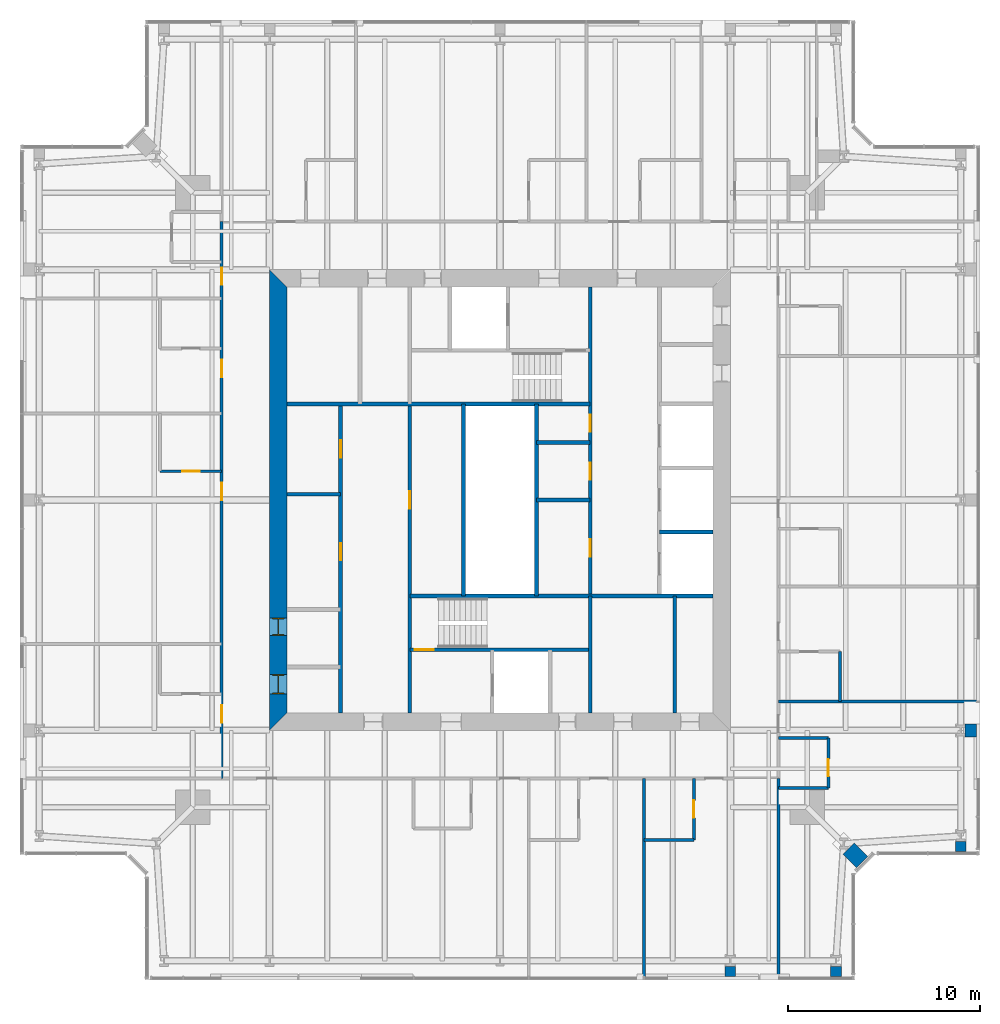
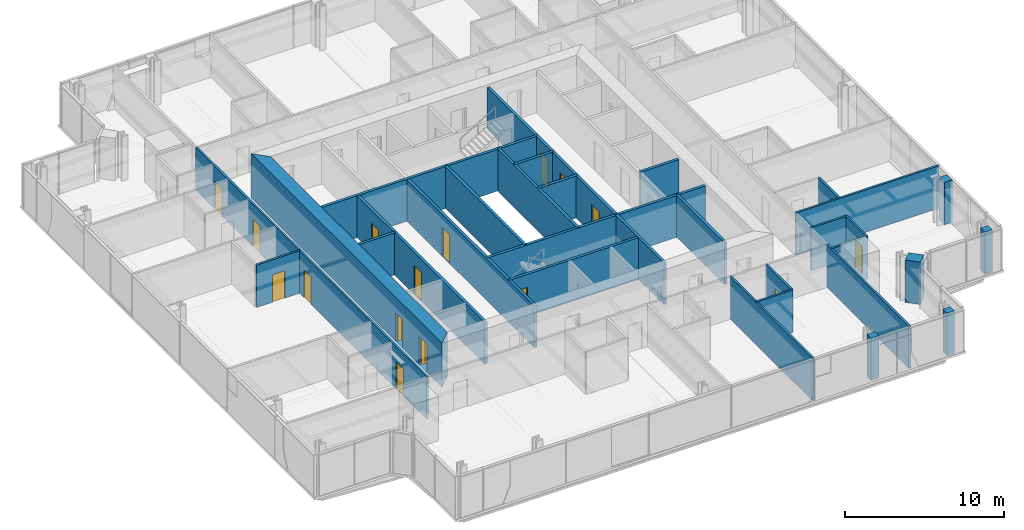
# One storey, part 12 of 18: 31 walls, 16 doors, 16 openings.
"""IFC4 building model written with IfcOpenShell, lengths in metres."""

from ifc_helpers import new_model, si_unit, direction, frame, frame_2d, origin, place, context, subcontext, project, spatial, polyline, rectangle, outline, extrude, material, layer, layer_set, type_object, element, fill, save


model = new_model("IFC4")

# Units and contexts
model_context = context("Model", 3, precision=1e-05, world=origin(), true_north=direction((0.0, 1.0)))
body_context = subcontext(model_context, "Body", "Model", "MODEL_VIEW")
ifc_project = project(units=[si_unit("LENGTHUNIT", "METRE"), si_unit("AREAUNIT", "SQUARE_METRE"), si_unit("VOLUMEUNIT", "CUBIC_METRE"), si_unit("PLANEANGLEUNIT", "RADIAN"), si_unit("MASSUNIT", "GRAM", prefix="KILO")], contexts=[model_context])

# Site, building, storey
site_placement = place(None, origin())
site = spatial("IfcSite", under=ifc_project, at=site_placement, CompositionType="ELEMENT")
building_placement = place(site_placement, origin())
building = spatial("IfcBuilding", under=site, at=building_placement, Name="Fenwick Lantern Interchange", CompositionType="ELEMENT")
storey_placement = place(building_placement, frame((0.0, 0.0, 266.199951171875)))
storey = spatial("IfcBuildingStorey", under=building, at=storey_placement, Name="L63", CompositionType="ELEMENT", Elevation=266.199951171875)

# Walls
ifc_material_1 = material(Name="Fire-rated gypsum board encasement on steel studs, 2 hour", Category="steel")
ifc_layer_1 = layer(ifc_material_1, 0.554931640625)
ifc_layer_set_1 = layer_set([ifc_layer_1], Name="COLUMN PIER 555")
wall_type_1 = type_object("IfcWallType", Name="COLUMN PIER 555", PredefinedType="PARTITIONING", material=ifc_layer_set_1)
for number, where, z_axis, x_axis, name in (
    (1, (37.0, 0.18994140625, 0.0), (0.0, 0.0, 1.0), (0.0, 1.0, 0.0), "L63/W/PIER/CS4"),
    (2, (42.5, 0.18994140625, 0.0), (0.0, 0.0, 1.0), (0.0, 1.0, 0.0), "L63/W/PIER/CS5"),
    (3, (49.0, 6.68994140625, 0.0), (0.0, 0.0, 1.0), (0.0, 1.0, 0.0), "L63/W/PIER/CE1"),
):
    element("IfcWall", number, at=place(storey_placement, frame(where, z_axis=z_axis, x_axis=x_axis)), inside=storey, type_object=wall_type_1, Name=name, PredefinedType="PARTITIONING", context=body_context, shape_type="SweptSolid", body=[
        extrude(rectangle(XDim=0.525634765625, YDim=0.554931640625, at=frame_2d((0.2626953125, 0.0))), origin(), (0.0, 0.0, 1.0), 3.25),
    ])
ifc_layer_2 = layer(ifc_material_1, 0.6689453125)
ifc_layer_set_2 = layer_set([ifc_layer_2], Name="COLUMN PIER 669")
wall_type_2 = type_object("IfcWallType", Name="COLUMN PIER 669", PredefinedType="PARTITIONING", material=ifc_layer_set_2)
wall_1_placement = place(storey_placement, frame((49.81005859375, 13.0, 0.0), z_axis=(0.0, 0.0, 1.0), x_axis=(-1.0, 0.0, 0.0)))
element("IfcWall", 4, at=wall_1_placement, inside=storey, type_object=wall_type_2, Name="L63/W/PIER/CE2", PredefinedType="PARTITIONING", context=body_context, shape_type="SweptSolid", body=[
    extrude(rectangle(XDim=0.582763671875, YDim=0.6689453125, at=frame_2d((0.29150390625, 0.0))), origin(), (0.0, 0.0, 1.0), 3.25),
])
ifc_layer_3 = layer(ifc_material_1, 0.823974609375)
ifc_layer_set_3 = layer_set([ifc_layer_3], Name="COLUMN PIER 824")
wall_type_3 = type_object("IfcWallType", Name="COLUMN PIER 824", PredefinedType="PARTITIONING", material=ifc_layer_set_3)
wall_2_placement = place(storey_placement, frame((43.86572265625, 6.13427734375, 0.0), z_axis=(0.0, 0.0, 1.0), x_axis=(-0.707106781187, 0.707106781187, 0.0)))
element("IfcWall", 5, at=wall_2_placement, inside=storey, type_object=wall_type_3, Name="L63/W/PIER/CSR", PredefinedType="PARTITIONING", context=body_context, shape_type="SweptSolid", body=[
    extrude(rectangle(XDim=1.003662109375, YDim=0.823974609375, at=frame_2d((0.501953125, 0.0))), origin(), (0.0, 0.0, 1.0), 3.25),
])

# Wall, openings, doors
ifc_material_2 = material(Name="Concrete masonry ASTM C90 Grade N", Category="masonry")
ifc_layer_4 = layer(ifc_material_2, 0.199951171875)
ifc_layer_set_4 = layer_set([ifc_layer_4], Name="Concrete masonry ASTM C90 Grade N")
wall_type_4 = type_object("IfcWallType", Name="CORE PARTITION 200", PredefinedType="PARTITIONING", material=ifc_layer_set_4)
wall_3_placement = place(storey_placement, frame((16.699951171875, 13.89990234375, 0.0), z_axis=(0.0, 0.0, 1.0), x_axis=(0.0, 1.0, 0.0)))
wall_3 = element("IfcWall", 6, at=wall_3_placement, inside=storey, type_object=wall_type_4, Name="L63/W/CORES/a", PredefinedType="PARTITIONING", context=body_context, shape_type="SweptSolid", body=[
    extrude(rectangle(XDim=16.10009765625, YDim=0.199951171875, at=frame_2d((8.050048828125, 0.0))), origin(), (0.0, 0.0, 1.0), 3.199951171875),
])
opening_1_placement = place(wall_3_placement, frame((7.949951171875, 0.0, 0.0)))
opening_1 = element("IfcOpeningElement", 7, at=opening_1_placement, cuts=wall_3, Name="Opening L63-D009", PredefinedType="OPENING", context=body_context, shape_type="SweptSolid", body=[
    extrude(rectangle(XDim=0.89990234375, YDim=2.199951171875, at=frame_2d((0.449951171875, 1.10009765625))), frame((0.0, 0.10986328125, 0.0), z_axis=(0.0, -1.0, 0.0), x_axis=(1.0, 0.0, 0.0)), (0.0, 0.0, 1.0), 0.219970703125),
])
opening_2_placement = place(wall_3_placement, frame((13.300048828125, 0.0, 0.0)))
opening_2 = element("IfcOpeningElement", 8, at=opening_2_placement, cuts=wall_3, Name="Opening L63-D010", PredefinedType="OPENING", context=body_context, shape_type="SweptSolid", body=[
    extrude(rectangle(XDim=0.89990234375, YDim=2.199951171875, at=frame_2d((0.449951171875, 1.10009765625))), frame((0.0, 0.10986328125, 0.0), z_axis=(0.0, -1.0, 0.0), x_axis=(1.0, 0.0, 0.0)), (0.0, 0.0, 1.0), 0.219970703125),
])
ifc_material_3 = material(Name="Steel door and frame", Category="steel")
door_type_1 = type_object("IfcDoorType", Name="SERVICE DOOR 900 X 2200", OperationType="SINGLE_SWING_LEFT", PredefinedType="DOOR", material=ifc_material_3)
door_1_placement = place(opening_1_placement, origin())
door_1 = element("IfcDoor", 9, at=door_1_placement, inside=storey, type_object=door_type_1, Name="Service door", OperationType="SINGLE_SWING_LEFT", OverallHeight=2.199951171875, OverallWidth=0.89990234375, PredefinedType="DOOR", context=body_context, shape_type="SweptSolid", body=[
    extrude(rectangle(XDim=0.89990234375, YDim=2.199951171875, at=frame_2d((0.449951171875, 1.10009765625))), frame((0.0, 0.02490234375, 0.0), z_axis=(0.0, -1.0, 0.0), x_axis=(1.0, 0.0, 0.0)), (0.0, 0.0, 1.0), 0.050048828125),
])
fill(opening_1, door_1)
door_2_placement = place(opening_2_placement, origin())
door_2 = element("IfcDoor", 10, at=door_2_placement, inside=storey, type_object=door_type_1, Name="Service door", OperationType="SINGLE_SWING_LEFT", OverallHeight=2.199951171875, OverallWidth=0.89990234375, PredefinedType="DOOR", context=body_context, shape_type="SweptSolid", body=[
    extrude(rectangle(XDim=0.89990234375, YDim=2.199951171875, at=frame_2d((0.449951171875, 1.10009765625))), frame((0.0, 0.02490234375, 0.0), z_axis=(0.0, -1.0, 0.0), x_axis=(1.0, 0.0, 0.0)), (0.0, 0.0, 1.0), 0.050048828125),
])
fill(opening_2, door_2)

# Walls
wall_4_placement = place(storey_placement, frame((23.10009765625, 20.0, 0.0), z_axis=(0.0, 0.0, 1.0), x_axis=(0.0, 1.0, 0.0)))
element("IfcWall", 11, at=wall_4_placement, inside=storey, type_object=wall_type_4, Name="L63/W/CORES/e3", PredefinedType="PARTITIONING", context=body_context, shape_type="SweptSolid", body=[
    extrude(rectangle(XDim=10.0, YDim=0.199951171875, at=frame_2d((5.0, 0.0))), origin(), (0.0, 0.0, 1.0), 3.199951171875),
])
wall_5_placement = place(storey_placement, frame((34.10009765625, 13.89990234375, 0.0), z_axis=(0.0, 0.0, 1.0), x_axis=(0.0, 1.0, 0.0)))
element("IfcWall", 12, at=wall_5_placement, inside=storey, type_object=wall_type_4, Name="L63/W/CORES/i2", PredefinedType="PARTITIONING", context=body_context, shape_type="SweptSolid", body=[
    extrude(rectangle(XDim=6.10009765625, YDim=0.199951171875, at=frame_2d((3.050048828125, 0.0))), origin(), (0.0, 0.0, 1.0), 3.199951171875),
])
for number, where, z_axis, x_axis, name in (
    (13, (13.89990234375, 25.300048828125, 0.0), (0.0, 0.0, 1.0), (1.0, 0.0, 0.0), "L63/W/CORES/p3"),
    (14, (36.10009765625, 23.333251953125, 0.0), (0.0, 0.0, 1.0), (-1.0, 0.0, 0.0), "L63/W/COREN/d2"),
):
    element("IfcWall", number, at=place(storey_placement, frame(where, z_axis=z_axis, x_axis=x_axis)), inside=storey, type_object=wall_type_4, Name=name, PredefinedType="PARTITIONING", context=body_context, shape_type="SweptSolid", body=[
        extrude(rectangle(XDim=2.800048828125, YDim=0.199951171875, at=frame_2d((1.39990234375, 0.0))), origin(), (0.0, 0.0, 1.0), 3.199951171875),
    ])
wall_6_placement = place(storey_placement, frame((26.89990234375, 30.0, 0.0), z_axis=(0.0, 0.0, 1.0), x_axis=(0.0, -1.0, 0.0)))
element("IfcWall", 15, at=wall_6_placement, inside=storey, type_object=wall_type_4, Name="L63/W/COREN/e3", PredefinedType="PARTITIONING", context=body_context, shape_type="SweptSolid", body=[
    extrude(rectangle(XDim=10.0, YDim=0.199951171875, at=frame_2d((5.0, 0.0))), origin(), (0.0, 0.0, 1.0), 3.199951171875),
])
for number, where, z_axis, x_axis, name in (
    (16, (29.699951171875, 28.0, 0.0), (0.0, 0.0, 1.0), (-1.0, 0.0, 0.0), "L63/W/COREN/q1"),
    (17, (29.699951171875, 25.0, 0.0), (0.0, 0.0, 1.0), (-1.0, 0.0, 0.0), "L63/W/COREN/q2"),
):
    element("IfcWall", number, at=place(storey_placement, frame(where, z_axis=z_axis, x_axis=x_axis)), inside=storey, type_object=wall_type_4, Name=name, PredefinedType="PARTITIONING", context=body_context, shape_type="SweptSolid", body=[
        extrude(rectangle(XDim=2.800048828125, YDim=0.199951171875, at=frame_2d((1.39990234375, 0.0))), origin(), (0.0, 0.0, 1.0), 3.199951171875),
    ])

# Wall, openings, doors
ifc_material_4 = material(Name="Concrete f'c 70 MPa", Category="concrete")
ifc_layer_5 = layer(ifc_material_4, 0.89990234375)
ifc_layer_set_5 = layer_set([ifc_layer_5], Name="CORE WALL 900")
wall_type_5 = type_object("IfcWallType", Name="CORE WALL 900", PredefinedType="SHEAR", material=ifc_layer_set_5)
wall_7_placement = place(storey_placement, frame((13.449951171875, 36.10009765625, 0.0), z_axis=(0.0, 0.0, 1.0), x_axis=(0.0, -1.0, 0.0)))
wall_7 = element("IfcWall", 18, at=wall_7_placement, inside=storey, type_object=wall_type_5, Name="L63/CORE/W", PredefinedType="SHEAR", context=body_context, shape_type="SweptSolid", body=[
    extrude(outline(polyline([(-0.89990234375, -0.449951171875), (23.10009765625, -0.449951171875), (22.199951171875, 0.449951171875), (0.0, 0.449951171875), (-0.89990234375, -0.449951171875)])), origin(), (0.0, 0.0, 1.0), 3.400146484375),
])
opening_3_placement = place(wall_7_placement, frame((20.199951171875, 0.0, 0.0)))
opening_3 = element("IfcOpeningElement", 19, at=opening_3_placement, cuts=wall_7, Name="Opening L63-D007", PredefinedType="OPENING", context=body_context, shape_type="SweptSolid", body=[
    extrude(rectangle(XDim=1.0, YDim=2.199951171875, at=frame_2d((0.5, 1.10009765625))), frame((0.0, 0.4599609375, 0.0), z_axis=(0.0, -1.0, 0.0), x_axis=(1.0, 0.0, 0.0)), (0.0, 0.0, 1.0), 0.919921875),
])
opening_4_placement = place(wall_7_placement, frame((17.25, 0.0, 0.0)))
opening_4 = element("IfcOpeningElement", 20, at=opening_4_placement, cuts=wall_7, Name="Opening L63-D008", PredefinedType="OPENING", context=body_context, shape_type="SweptSolid", body=[
    extrude(rectangle(XDim=0.89990234375, YDim=2.199951171875, at=frame_2d((0.449951171875, 1.10009765625))), frame((0.0, 0.4599609375, 0.0), z_axis=(0.0, -1.0, 0.0), x_axis=(1.0, 0.0, 0.0)), (0.0, 0.0, 1.0), 0.919921875),
])
door_3_placement = place(opening_4_placement, origin())
door_3 = element("IfcDoor", 21, at=door_3_placement, inside=storey, type_object=door_type_1, Name="Service door", OperationType="SINGLE_SWING_LEFT", OverallHeight=2.199951171875, OverallWidth=0.89990234375, PredefinedType="DOOR", context=body_context, shape_type="SweptSolid", body=[
    extrude(rectangle(XDim=0.89990234375, YDim=2.199951171875, at=frame_2d((0.449951171875, 1.10009765625))), frame((0.0, 0.02490234375, 0.0), z_axis=(0.0, -1.0, 0.0), x_axis=(1.0, 0.0, 0.0)), (0.0, 0.0, 1.0), 0.050048828125),
    extrude(outline(polyline([(0.0, 0.0), (0.0400390625, 0.0), (0.0400390625, 2.159912109375), (0.85986328125, 2.159912109375), (0.85986328125, 0.0), (0.89990234375, 0.0), (0.89990234375, 2.199951171875), (0.0, 2.199951171875), (0.0, 0.0)])), frame((0.0, 0.300048828125, 0.0), z_axis=(0.0, -1.0, 0.0), x_axis=(1.0, 0.0, 0.0)), (0.0, 0.0, 1.0), 0.60009765625),
])
fill(opening_4, door_3)
ifc_material_5 = material(Name="Hardwood door and steel frame", Category="steel")
door_type_2 = type_object("IfcDoorType", Name="WC DOOR 1000 X 2200", OperationType="SINGLE_SWING_LEFT", PredefinedType="DOOR", material=ifc_material_5)
door_4_placement = place(opening_3_placement, origin())
door_4 = element("IfcDoor", 22, at=door_4_placement, inside=storey, type_object=door_type_2, Name="Wc door", OperationType="SINGLE_SWING_LEFT", OverallHeight=2.199951171875, OverallWidth=1.0, PredefinedType="DOOR", context=body_context, shape_type="SweptSolid", body=[
    extrude(rectangle(XDim=1.0, YDim=2.199951171875, at=frame_2d((0.5, 1.10009765625))), frame((0.0, 0.02490234375, 0.0), z_axis=(0.0, -1.0, 0.0), x_axis=(1.0, 0.0, 0.0)), (0.0, 0.0, 1.0), 0.050048828125),
    extrude(outline(polyline([(0.0, 0.0), (0.0400390625, 0.0), (0.0400390625, 2.159912109375), (0.9599609375, 2.159912109375), (0.9599609375, 0.0), (1.0, 0.0), (1.0, 2.199951171875), (0.0, 2.199951171875), (0.0, 0.0)])), frame((0.0, 0.300048828125, 0.0), z_axis=(0.0, -1.0, 0.0), x_axis=(1.0, 0.0, 0.0)), (0.0, 0.0, 1.0), 0.60009765625),
])
fill(opening_3, door_4)

ifc_material_6 = material(Name="Gypsum board on steel studs, 1 hour", Category="steel")
ifc_layer_6 = layer(ifc_material_6, 0.14990234375)
ifc_layer_set_6 = layer_set([ifc_layer_6], Name="CORRIDOR WALL 150")
wall_type_6 = type_object("IfcWallType", Name="CORRIDOR WALL 150", PredefinedType="PARTITIONING", material=ifc_layer_set_6)
wall_8_placement = place(storey_placement, frame((10.5, 39.5, 0.0), z_axis=(0.0, 0.0, 1.0), x_axis=(0.0, -1.0, 0.0)))
wall_8 = element("IfcWall", 23, at=wall_8_placement, inside=storey, type_object=wall_type_6, Name="L63/W/HOTEL/W/CW", PredefinedType="PARTITIONING", context=body_context, shape_type="SweptSolid", body=[
    extrude(rectangle(XDim=29.0, YDim=0.14990234375, at=frame_2d((14.5, 0.0))), origin(), (0.0, 0.0, 1.0), 3.25),
])
opening_5_placement = place(wall_8_placement, frame((2.39990234375, 0.0, 0.0)))
opening_5 = element("IfcOpeningElement", 24, at=opening_5_placement, cuts=wall_8, Name="Opening L63-D047", PredefinedType="OPENING", context=body_context, shape_type="SweptSolid", body=[
    extrude(rectangle(XDim=0.89990234375, YDim=2.10009765625, at=frame_2d((0.449951171875, 1.050048828125))), frame((0.0, 0.0849609375, 0.0), z_axis=(0.0, -1.0, 0.0), x_axis=(1.0, 0.0, 0.0)), (0.0, 0.0, 1.0), 0.169921875),
])
opening_6_placement = place(wall_8_placement, frame((7.199951171875, 0.0, 0.0)))
opening_6 = element("IfcOpeningElement", 25, at=opening_6_placement, cuts=wall_8, Name="Opening L63-D050", PredefinedType="OPENING", context=body_context, shape_type="SweptSolid", body=[
    extrude(rectangle(XDim=0.89990234375, YDim=2.10009765625, at=frame_2d((0.449951171875, 1.050048828125))), frame((0.0, 0.0849609375, 0.0), z_axis=(0.0, -1.0, 0.0), x_axis=(1.0, 0.0, 0.0)), (0.0, 0.0, 1.0), 0.169921875),
])
opening_7_placement = place(wall_8_placement, frame((13.60009765625, 0.0, 0.0)))
opening_7 = element("IfcOpeningElement", 26, at=opening_7_placement, cuts=wall_8, Name="Opening L63-D052", PredefinedType="OPENING", context=body_context, shape_type="SweptSolid", body=[
    extrude(rectangle(XDim=0.89990234375, YDim=2.10009765625, at=frame_2d((0.449951171875, 1.050048828125))), frame((0.0, 0.0849609375, 0.0), z_axis=(0.0, -1.0, 0.0), x_axis=(1.0, 0.0, 0.0)), (0.0, 0.0, 1.0), 0.169921875),
])
opening_8_placement = place(wall_8_placement, frame((25.199951171875, 0.0, 0.0)))
opening_8 = element("IfcOpeningElement", 27, at=opening_8_placement, cuts=wall_8, Name="Opening L63-D054", PredefinedType="OPENING", context=body_context, shape_type="SweptSolid", body=[
    extrude(rectangle(XDim=0.89990234375, YDim=2.10009765625, at=frame_2d((0.449951171875, 1.050048828125))), frame((0.0, 0.0849609375, 0.0), z_axis=(0.0, -1.0, 0.0), x_axis=(1.0, 0.0, 0.0)), (0.0, 0.0, 1.0), 0.169921875),
])
door_type_3 = type_object("IfcDoorType", Name="GUEST ROOM DOOR 900 X 2100", OperationType="SINGLE_SWING_LEFT", PredefinedType="DOOR", material=ifc_material_3)
door_5_placement = place(opening_5_placement, frame((0.89990234375, 0.0, 0.0), z_axis=(0.0, 0.0, 1.0), x_axis=(-1.0, 0.0, 0.0)))
door_5 = element("IfcDoor", 28, at=door_5_placement, inside=storey, type_object=door_type_3, Name="Guest room door", OperationType="SINGLE_SWING_RIGHT", OverallHeight=2.10009765625, OverallWidth=0.89990234375, PredefinedType="DOOR", context=body_context, shape_type="SweptSolid", body=[
    extrude(rectangle(XDim=0.89990234375, YDim=2.10009765625, at=frame_2d((0.449951171875, 1.050048828125))), frame((0.0, 0.02490234375, 0.0), z_axis=(0.0, -1.0, 0.0), x_axis=(1.0, 0.0, 0.0)), (0.0, 0.0, 1.0), 0.050048828125),
])
fill(opening_5, door_5)
door_6_placement = place(opening_6_placement, frame((0.89990234375, 0.0, 0.0), z_axis=(0.0, 0.0, 1.0), x_axis=(-1.0, 0.0, 0.0)))
door_6 = element("IfcDoor", 29, at=door_6_placement, inside=storey, type_object=door_type_3, Name="Guest room door", OperationType="SINGLE_SWING_RIGHT", OverallHeight=2.10009765625, OverallWidth=0.89990234375, PredefinedType="DOOR", context=body_context, shape_type="SweptSolid", body=[
    extrude(rectangle(XDim=0.89990234375, YDim=2.10009765625, at=frame_2d((0.449951171875, 1.050048828125))), frame((0.0, 0.02490234375, 0.0), z_axis=(0.0, -1.0, 0.0), x_axis=(1.0, 0.0, 0.0)), (0.0, 0.0, 1.0), 0.050048828125),
])
fill(opening_6, door_6)
door_7_placement = place(opening_7_placement, frame((0.89990234375, 0.0, 0.0), z_axis=(0.0, 0.0, 1.0), x_axis=(-1.0, 0.0, 0.0)))
door_7 = element("IfcDoor", 30, at=door_7_placement, inside=storey, type_object=door_type_3, Name="Guest room door", OperationType="SINGLE_SWING_RIGHT", OverallHeight=2.10009765625, OverallWidth=0.89990234375, PredefinedType="DOOR", context=body_context, shape_type="SweptSolid", body=[
    extrude(rectangle(XDim=0.89990234375, YDim=2.10009765625, at=frame_2d((0.449951171875, 1.050048828125))), frame((0.0, 0.02490234375, 0.0), z_axis=(0.0, -1.0, 0.0), x_axis=(1.0, 0.0, 0.0)), (0.0, 0.0, 1.0), 0.050048828125),
])
fill(opening_7, door_7)
door_8_placement = place(opening_8_placement, frame((0.89990234375, 0.0, 0.0), z_axis=(0.0, 0.0, 1.0), x_axis=(-1.0, 0.0, 0.0)))
door_8 = element("IfcDoor", 31, at=door_8_placement, inside=storey, type_object=door_type_3, Name="Guest room door", OperationType="SINGLE_SWING_RIGHT", OverallHeight=2.10009765625, OverallWidth=0.89990234375, PredefinedType="DOOR", context=body_context, shape_type="SweptSolid", body=[
    extrude(rectangle(XDim=0.89990234375, YDim=2.10009765625, at=frame_2d((0.449951171875, 1.050048828125))), frame((0.0, 0.02490234375, 0.0), z_axis=(0.0, -1.0, 0.0), x_axis=(1.0, 0.0, 0.0)), (0.0, 0.0, 1.0), 0.050048828125),
])
fill(opening_8, door_8)

# Wall
ifc_material_7 = material(Name="Gypsum board on steel studs, moisture resistant", Category="steel")
ifc_layer_7 = layer(ifc_material_7, 0.14990234375)
ifc_layer_set_7 = layer_set([ifc_layer_7], Name="EN-SUITE WALL 150")
wall_type_7 = type_object("IfcWallType", Name="EN-SUITE WALL 150", PredefinedType="PARTITIONING", material=ifc_layer_set_7)
wall_9_placement = place(storey_placement, frame((32.5, 7.300048828125, 0.0), z_axis=(0.0, 0.0, 1.0), x_axis=(1.0, 0.0, 0.0)))
element("IfcWall", 32, at=wall_9_placement, inside=storey, type_object=wall_type_7, Name="L63/W/HOTEL/S/U3BW", PredefinedType="PARTITIONING", context=body_context, shape_type="SweptSolid", body=[
    extrude(rectangle(XDim=2.60009765625, YDim=0.14990234375, at=frame_2d((1.300048828125, 0.0))), origin(), (0.0, 0.0, 1.0), 3.25),
])

# Wall, opening, door
wall_10_placement = place(storey_placement, frame((35.10009765625, 7.300048828125, 0.0), z_axis=(0.0, 0.0, 1.0), x_axis=(0.0, 1.0, 0.0)))
wall_10 = element("IfcWall", 33, at=wall_10_placement, inside=storey, type_object=wall_type_7, Name="L63/W/HOTEL/S/U3BX", PredefinedType="PARTITIONING", context=body_context, shape_type="SweptSolid", body=[
    extrude(rectangle(XDim=3.199951171875, YDim=0.14990234375, at=frame_2d((1.60009765625, 0.0))), origin(), (0.0, 0.0, 1.0), 3.25),
])
opening_9_placement = place(wall_10_placement, frame((1.14990234375, 0.0, 0.0)))
opening_9 = element("IfcOpeningElement", 34, at=opening_9_placement, cuts=wall_10, Name="Opening L63-D028", PredefinedType="OPENING", context=body_context, shape_type="SweptSolid", body=[
    extrude(rectangle(XDim=0.89990234375, YDim=2.10009765625, at=frame_2d((0.449951171875, 1.050048828125))), frame((0.0, 0.0849609375, 0.0), z_axis=(0.0, -1.0, 0.0), x_axis=(1.0, 0.0, 0.0)), (0.0, 0.0, 1.0), 0.169921875),
])
door_type_4 = type_object("IfcDoorType", Name="EN-SUITE DOOR 900 X 2100", OperationType="SINGLE_SWING_LEFT", PredefinedType="DOOR", material=ifc_material_5)
door_9_placement = place(opening_9_placement, origin())
door_9 = element("IfcDoor", 35, at=door_9_placement, inside=storey, type_object=door_type_4, Name="En-suite door", OperationType="SINGLE_SWING_LEFT", OverallHeight=2.10009765625, OverallWidth=0.89990234375, PredefinedType="DOOR", context=body_context, shape_type="SweptSolid", body=[
    extrude(rectangle(XDim=0.89990234375, YDim=2.10009765625, at=frame_2d((0.449951171875, 1.050048828125))), frame((0.0, 0.02490234375, 0.0), z_axis=(0.0, -1.0, 0.0), x_axis=(1.0, 0.0, 0.0)), (0.0, 0.0, 1.0), 0.050048828125),
])
fill(opening_9, door_9)

wall_11_placement = place(storey_placement, frame((42.10009765625, 10.0, 0.0), z_axis=(0.0, 0.0, 1.0), x_axis=(0.0, 1.0, 0.0)))
wall_11 = element("IfcWall", 36, at=wall_11_placement, inside=storey, type_object=wall_type_7, Name="L63/W/HOTEL/E/U1BW", PredefinedType="PARTITIONING", context=body_context, shape_type="SweptSolid", body=[
    extrude(rectangle(XDim=2.60009765625, YDim=0.14990234375, at=frame_2d((1.300048828125, 0.0))), origin(), (0.0, 0.0, 1.0), 3.25),
])
opening_10_placement = place(wall_11_placement, frame((0.60009765625, 0.0, 0.0)))
opening_10 = element("IfcOpeningElement", 37, at=opening_10_placement, cuts=wall_11, Name="Opening L63-D031", PredefinedType="OPENING", context=body_context, shape_type="SweptSolid", body=[
    extrude(rectangle(XDim=0.89990234375, YDim=2.10009765625, at=frame_2d((0.449951171875, 1.050048828125))), frame((0.0, 0.0849609375, 0.0), z_axis=(0.0, -1.0, 0.0), x_axis=(1.0, 0.0, 0.0)), (0.0, 0.0, 1.0), 0.169921875),
])
door_10_placement = place(opening_10_placement, origin())
door_10 = element("IfcDoor", 38, at=door_10_placement, inside=storey, type_object=door_type_4, Name="En-suite door", OperationType="SINGLE_SWING_LEFT", OverallHeight=2.10009765625, OverallWidth=0.89990234375, PredefinedType="DOOR", context=body_context, shape_type="SweptSolid", body=[
    extrude(rectangle(XDim=0.89990234375, YDim=2.10009765625, at=frame_2d((0.449951171875, 1.050048828125))), frame((0.0, 0.02490234375, 0.0), z_axis=(0.0, -1.0, 0.0), x_axis=(1.0, 0.0, 0.0)), (0.0, 0.0, 1.0), 0.050048828125),
])
fill(opening_10, door_10)

# Walls
for number, where, z_axis, x_axis, name in (
    (39, (42.10009765625, 10.0, 0.0), (0.0, 0.0, 1.0), (-1.0, 0.0, 0.0), "L63/W/HOTEL/E/U1BX"),
    (40, (42.10009765625, 12.60009765625, 0.0), (0.0, 0.0, 1.0), (-1.0, 0.0, 0.0), "L63/W/HOTEL/E/U1BE"),
    (41, (42.699951171875, 14.5, 0.0), (0.0, 0.0, 1.0), (0.0, 1.0, 0.0), "L63/W/HOTEL/E/U2BW"),
):
    element("IfcWall", number, at=place(storey_placement, frame(where, z_axis=z_axis, x_axis=x_axis)), inside=storey, type_object=wall_type_7, Name=name, PredefinedType="PARTITIONING", context=body_context, shape_type="SweptSolid", body=[
        extrude(rectangle(XDim=2.60009765625, YDim=0.14990234375, at=frame_2d((1.300048828125, 0.0))), origin(), (0.0, 0.0, 1.0), 3.25),
    ])

# Wall, opening, door
wall_12_placement = place(storey_placement, frame((7.300048828125, 26.5, 0.0), z_axis=(0.0, 0.0, 1.0), x_axis=(1.0, 0.0, 0.0)))
wall_12 = element("IfcWall", 42, at=wall_12_placement, inside=storey, type_object=wall_type_7, Name="L63/W/HOTEL/W/U3BX", PredefinedType="PARTITIONING", context=body_context, shape_type="SweptSolid", body=[
    extrude(rectangle(XDim=3.199951171875, YDim=0.14990234375, at=frame_2d((1.60009765625, 0.0))), origin(), (0.0, 0.0, 1.0), 3.25),
])
opening_11_placement = place(wall_12_placement, frame((1.14990234375, 0.0, 0.0)))
opening_11 = element("IfcOpeningElement", 43, at=opening_11_placement, cuts=wall_12, Name="Opening L63-D051", PredefinedType="OPENING", context=body_context, shape_type="SweptSolid", body=[
    extrude(rectangle(XDim=0.89990234375, YDim=2.10009765625, at=frame_2d((0.449951171875, 1.050048828125))), frame((0.0, 0.0849609375, 0.0), z_axis=(0.0, -1.0, 0.0), x_axis=(1.0, 0.0, 0.0)), (0.0, 0.0, 1.0), 0.169921875),
])
door_11_placement = place(opening_11_placement, origin())
door_11 = element("IfcDoor", 44, at=door_11_placement, inside=storey, type_object=door_type_4, Name="En-suite door", OperationType="SINGLE_SWING_LEFT", OverallHeight=2.10009765625, OverallWidth=0.89990234375, PredefinedType="DOOR", context=body_context, shape_type="SweptSolid", body=[
    extrude(rectangle(XDim=0.89990234375, YDim=2.10009765625, at=frame_2d((0.449951171875, 1.050048828125))), frame((0.0, 0.02490234375, 0.0), z_axis=(0.0, -1.0, 0.0), x_axis=(1.0, 0.0, 0.0)), (0.0, 0.0, 1.0), 0.050048828125),
])
fill(opening_11, door_11)

# Walls
ifc_material_8 = material(Name="Gypsum board on steel studs, 1 hour acoustic", Category="steel")
ifc_layer_8 = layer(ifc_material_8, 0.14990234375)
ifc_layer_set_8 = layer_set([ifc_layer_8], Name="PARTY WALL 150")
wall_type_8 = type_object("IfcWallType", Name="PARTY WALL 150", PredefinedType="PARTITIONING", material=ifc_layer_set_8)
for number, where, z_axis, x_axis, name in (
    (45, (32.5, 0.14990234375, 0.0), (0.0, 0.0, 1.0), (0.0, 1.0, 0.0), "L63/W/HOTEL/S/U3PW"),
    (46, (39.5, 0.14990234375, 0.0), (0.0, 0.0, 1.0), (0.0, 1.0, 0.0), "L63/W/HOTEL/E/SW3"),
    (47, (49.85009765625, 14.5, 0.0), (0.0, 0.0, 1.0), (-1.0, 0.0, 0.0), "L63/W/HOTEL/E/U2PW"),
):
    element("IfcWall", number, at=place(storey_placement, frame(where, z_axis=z_axis, x_axis=x_axis)), inside=storey, type_object=wall_type_8, Name=name, PredefinedType="PARTITIONING", context=body_context, shape_type="SweptSolid", body=[
        extrude(rectangle(XDim=10.35009765625, YDim=0.14990234375, at=frame_2d((5.175048828125, 0.0))), origin(), (0.0, 0.0, 1.0), 3.25),
    ])

# Wall, opening, door
ifc_material_9 = material(Name="Concrete f'c 45 MPa", Category="concrete")
ifc_layer_9 = layer(ifc_material_9, 0.199951171875)
ifc_layer_set_9 = layer_set([ifc_layer_9], Name="STAIR CORE WALL 200")
wall_type_9 = type_object("IfcWallType", Name="STAIR CORE WALL 200", PredefinedType="SOLIDWALL", material=ifc_layer_set_9)
wall_13_placement = place(storey_placement, frame((20.300048828125, 13.89990234375, 0.0), z_axis=(0.0, 0.0, 1.0), x_axis=(0.0, 1.0, 0.0)))
wall_13 = element("IfcWall", 48, at=wall_13_placement, inside=storey, type_object=wall_type_9, Name="L63/W/CORES/b", PredefinedType="SOLIDWALL", context=body_context, shape_type="SweptSolid", body=[
    extrude(rectangle(XDim=16.10009765625, YDim=0.199951171875, at=frame_2d((8.050048828125, 0.0))), origin(), (0.0, 0.0, 1.0), 3.199951171875),
])
opening_12_placement = place(wall_13_placement, frame((10.64990234375, 0.0, 0.0)))
opening_12 = element("IfcOpeningElement", 49, at=opening_12_placement, cuts=wall_13, Name="Opening L63-D011", PredefinedType="OPENING", context=body_context, shape_type="SweptSolid", body=[
    extrude(rectangle(XDim=0.89990234375, YDim=2.199951171875, at=frame_2d((0.449951171875, 1.10009765625))), frame((0.0, 0.10986328125, 0.0), z_axis=(0.0, -1.0, 0.0), x_axis=(1.0, 0.0, 0.0)), (0.0, 0.0, 1.0), 0.219970703125),
])
door_12_placement = place(opening_12_placement, frame((0.89990234375, 0.0, 0.0), z_axis=(0.0, 0.0, 1.0), x_axis=(-1.0, 0.0, 0.0)))
door_12 = element("IfcDoor", 50, at=door_12_placement, inside=storey, type_object=door_type_1, Name="Service door", OperationType="SINGLE_SWING_RIGHT", OverallHeight=2.199951171875, OverallWidth=0.89990234375, PredefinedType="DOOR", context=body_context, shape_type="SweptSolid", body=[
    extrude(rectangle(XDim=0.89990234375, YDim=2.199951171875, at=frame_2d((0.449951171875, 1.10009765625))), frame((0.0, 0.02490234375, 0.0), z_axis=(0.0, -1.0, 0.0), x_axis=(1.0, 0.0, 0.0)), (0.0, 0.0, 1.0), 0.050048828125),
])
fill(opening_12, door_12)

wall_14_placement = place(storey_placement, frame((20.300048828125, 17.199951171875, 0.0), z_axis=(0.0, 0.0, 1.0), x_axis=(1.0, 0.0, 0.0)))
wall_14 = element("IfcWall", 51, at=wall_14_placement, inside=storey, type_object=wall_type_9, Name="L63/W/CORES/g1", PredefinedType="SOLIDWALL", context=body_context, shape_type="SweptSolid", body=[
    extrude(rectangle(XDim=9.39990234375, YDim=0.199951171875, at=frame_2d((4.699951171875, 0.0))), origin(), (0.0, 0.0, 1.0), 3.199951171875),
])
opening_13_placement = place(wall_14_placement, frame((0.25, 0.0, 0.0)))
opening_13 = element("IfcOpeningElement", 52, at=opening_13_placement, cuts=wall_14, Name="Opening L63-D003", PredefinedType="OPENING", context=body_context, shape_type="SweptSolid", body=[
    extrude(rectangle(XDim=1.0, YDim=2.199951171875, at=frame_2d((0.5, 1.10009765625))), frame((0.0, 0.10986328125, 0.0), z_axis=(0.0, -1.0, 0.0), x_axis=(1.0, 0.0, 0.0)), (0.0, 0.0, 1.0), 0.219970703125),
])
door_type_5 = type_object("IfcDoorType", Name="STAIR DOOR 1000 X 2200", OperationType="SINGLE_SWING_LEFT", PredefinedType="DOOR", material=ifc_material_3)
door_13_placement = place(opening_13_placement, origin())
door_13 = element("IfcDoor", 53, at=door_13_placement, inside=storey, type_object=door_type_5, Name="Stair door", OperationType="SINGLE_SWING_LEFT", OverallHeight=2.199951171875, OverallWidth=1.0, PredefinedType="DOOR", context=body_context, shape_type="SweptSolid", body=[
    extrude(rectangle(XDim=1.0, YDim=2.199951171875, at=frame_2d((0.5, 1.10009765625))), frame((0.0, 0.02490234375, 0.0), z_axis=(0.0, -1.0, 0.0), x_axis=(1.0, 0.0, 0.0)), (0.0, 0.0, 1.0), 0.050048828125),
])
fill(opening_13, door_13)

# Walls
wall_15_placement = place(storey_placement, frame((20.300048828125, 20.0, 0.0), z_axis=(0.0, 0.0, 1.0), x_axis=(1.0, 0.0, 0.0)))
element("IfcWall", 54, at=wall_15_placement, inside=storey, type_object=wall_type_9, Name="L63/W/CORES/g2", PredefinedType="SOLIDWALL", context=body_context, shape_type="SweptSolid", body=[
    extrude(rectangle(XDim=15.800048828125, YDim=0.199951171875, at=frame_2d((7.89990234375, 0.0))), origin(), (0.0, 0.0, 1.0), 3.199951171875),
])
wall_16_placement = place(storey_placement, frame((29.699951171875, 13.89990234375, 0.0), z_axis=(0.0, 0.0, 1.0), x_axis=(0.0, 1.0, 0.0)))
element("IfcWall", 55, at=wall_16_placement, inside=storey, type_object=wall_type_9, Name="L63/W/CORES/i1", PredefinedType="SOLIDWALL", context=body_context, shape_type="SweptSolid", body=[
    extrude(rectangle(XDim=6.10009765625, YDim=0.199951171875, at=frame_2d((3.050048828125, 0.0))), origin(), (0.0, 0.0, 1.0), 3.199951171875),
])

# Wall, openings, doors
wall_17_placement = place(storey_placement, frame((29.699951171875, 36.10009765625, 0.0), z_axis=(0.0, 0.0, 1.0), x_axis=(0.0, -1.0, 0.0)))
wall_17 = element("IfcWall", 56, at=wall_17_placement, inside=storey, type_object=wall_type_9, Name="L63/W/COREN/b", PredefinedType="SOLIDWALL", context=body_context, shape_type="SweptSolid", body=[
    extrude(rectangle(XDim=16.10009765625, YDim=0.199951171875, at=frame_2d((8.050048828125, 0.0))), origin(), (0.0, 0.0, 1.0), 3.199951171875),
])
opening_14_placement = place(wall_17_placement, frame((6.64990234375, 0.0, 0.0)))
opening_14 = element("IfcOpeningElement", 57, at=opening_14_placement, cuts=wall_17, Name="Opening L63-D020", PredefinedType="OPENING", context=body_context, shape_type="SweptSolid", body=[
    extrude(rectangle(XDim=0.89990234375, YDim=2.199951171875, at=frame_2d((0.449951171875, 1.10009765625))), frame((0.0, 0.10986328125, 0.0), z_axis=(0.0, -1.0, 0.0), x_axis=(1.0, 0.0, 0.0)), (0.0, 0.0, 1.0), 0.219970703125),
])
opening_15_placement = place(wall_17_placement, frame((9.14990234375, 0.0, 0.0)))
opening_15 = element("IfcOpeningElement", 58, at=opening_15_placement, cuts=wall_17, Name="Opening L63-D021", PredefinedType="OPENING", context=body_context, shape_type="SweptSolid", body=[
    extrude(rectangle(XDim=0.89990234375, YDim=2.199951171875, at=frame_2d((0.449951171875, 1.10009765625))), frame((0.0, 0.10986328125, 0.0), z_axis=(0.0, -1.0, 0.0), x_axis=(1.0, 0.0, 0.0)), (0.0, 0.0, 1.0), 0.219970703125),
])
opening_16_placement = place(wall_17_placement, frame((13.14990234375, 0.0, 0.0)))
opening_16 = element("IfcOpeningElement", 59, at=opening_16_placement, cuts=wall_17, Name="Opening L63-D022", PredefinedType="OPENING", context=body_context, shape_type="SweptSolid", body=[
    extrude(rectangle(XDim=0.89990234375, YDim=2.199951171875, at=frame_2d((0.449951171875, 1.10009765625))), frame((0.0, 0.10986328125, 0.0), z_axis=(0.0, -1.0, 0.0), x_axis=(1.0, 0.0, 0.0)), (0.0, 0.0, 1.0), 0.219970703125),
])
door_14_placement = place(opening_14_placement, frame((0.89990234375, 0.0, 0.0), z_axis=(0.0, 0.0, 1.0), x_axis=(-1.0, 0.0, 0.0)))
door_14 = element("IfcDoor", 60, at=door_14_placement, inside=storey, type_object=door_type_1, Name="Service door", OperationType="SINGLE_SWING_RIGHT", OverallHeight=2.199951171875, OverallWidth=0.89990234375, PredefinedType="DOOR", context=body_context, shape_type="SweptSolid", body=[
    extrude(rectangle(XDim=0.89990234375, YDim=2.199951171875, at=frame_2d((0.449951171875, 1.10009765625))), frame((0.0, 0.02490234375, 0.0), z_axis=(0.0, -1.0, 0.0), x_axis=(1.0, 0.0, 0.0)), (0.0, 0.0, 1.0), 0.050048828125),
])
fill(opening_14, door_14)
door_15_placement = place(opening_15_placement, frame((0.89990234375, 0.0, 0.0), z_axis=(0.0, 0.0, 1.0), x_axis=(-1.0, 0.0, 0.0)))
door_15 = element("IfcDoor", 61, at=door_15_placement, inside=storey, type_object=door_type_1, Name="Service door", OperationType="SINGLE_SWING_RIGHT", OverallHeight=2.199951171875, OverallWidth=0.89990234375, PredefinedType="DOOR", context=body_context, shape_type="SweptSolid", body=[
    extrude(rectangle(XDim=0.89990234375, YDim=2.199951171875, at=frame_2d((0.449951171875, 1.10009765625))), frame((0.0, 0.02490234375, 0.0), z_axis=(0.0, -1.0, 0.0), x_axis=(1.0, 0.0, 0.0)), (0.0, 0.0, 1.0), 0.050048828125),
])
fill(opening_15, door_15)
door_16_placement = place(opening_16_placement, frame((0.89990234375, 0.0, 0.0), z_axis=(0.0, 0.0, 1.0), x_axis=(-1.0, 0.0, 0.0)))
door_16 = element("IfcDoor", 62, at=door_16_placement, inside=storey, type_object=door_type_1, Name="Service door", OperationType="SINGLE_SWING_RIGHT", OverallHeight=2.199951171875, OverallWidth=0.89990234375, PredefinedType="DOOR", context=body_context, shape_type="SweptSolid", body=[
    extrude(rectangle(XDim=0.89990234375, YDim=2.199951171875, at=frame_2d((0.449951171875, 1.10009765625))), frame((0.0, 0.02490234375, 0.0), z_axis=(0.0, -1.0, 0.0), x_axis=(1.0, 0.0, 0.0)), (0.0, 0.0, 1.0), 0.050048828125),
])
fill(opening_16, door_16)

# Wall
wall_18_placement = place(storey_placement, frame((29.699951171875, 30.0, 0.0), z_axis=(0.0, 0.0, 1.0), x_axis=(-1.0, 0.0, 0.0)))
element("IfcWall", 63, at=wall_18_placement, inside=storey, type_object=wall_type_9, Name="L63/W/COREN/g2", PredefinedType="SOLIDWALL", context=body_context, shape_type="SweptSolid", body=[
    extrude(rectangle(XDim=15.800048828125, YDim=0.199951171875, at=frame_2d((7.89990234375, 0.0))), origin(), (0.0, 0.0, 1.0), 3.199951171875),
])

save(model, "model.ifc")
